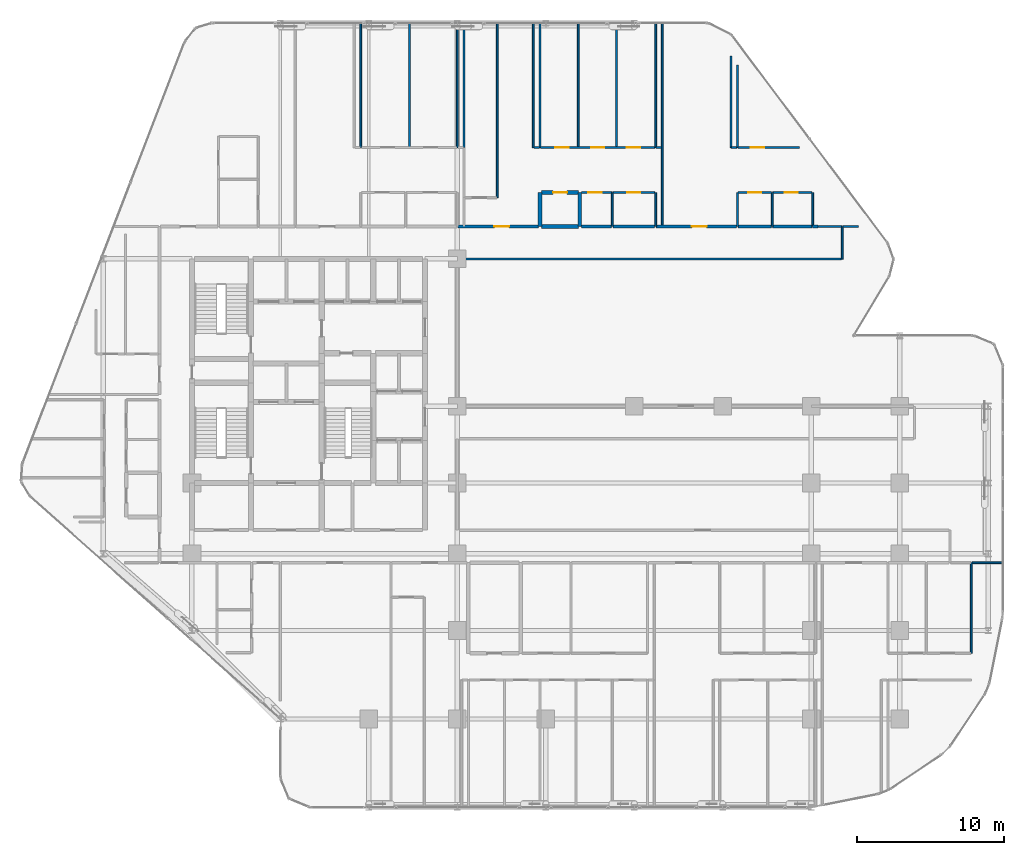
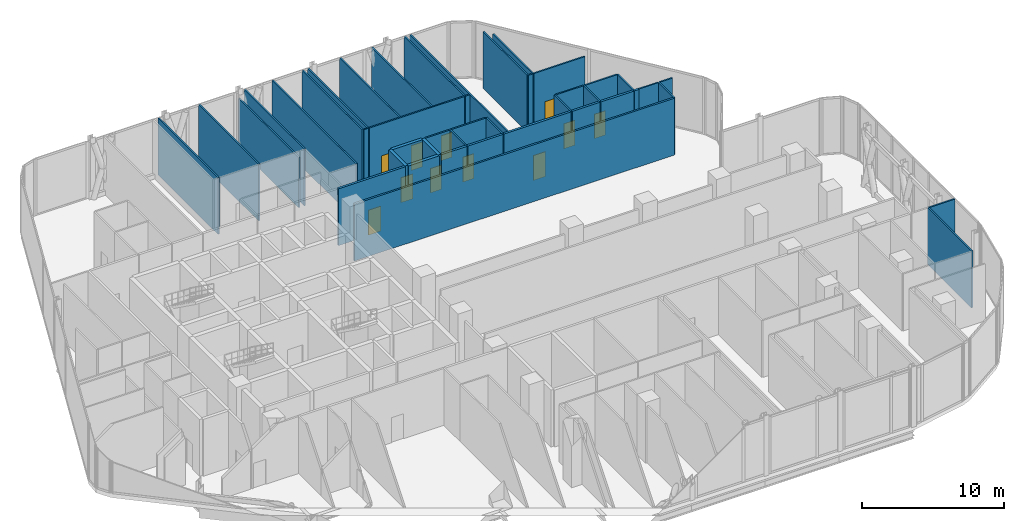
# One storey, part 34 of 36: 44 walls, 11 doors, 11 openings.
"""IFC4 building model written with IfcOpenShell, lengths in metres."""

from ifc_helpers import new_model, si_unit, direction, frame, frame_2d, origin, place, context, subcontext, project, spatial, rectangle, extrude, material, layer, layer_set, type_object, element, fill, save


model = new_model("IFC4")

# Units and contexts
model_context = context("Model", 3, precision=1e-05, world=origin(), true_north=direction((0.0, 1.0)))
body_context = subcontext(model_context, "Body", "Model", "MODEL_VIEW")
ifc_project = project(units=[si_unit("LENGTHUNIT", "METRE"), si_unit("AREAUNIT", "SQUARE_METRE"), si_unit("VOLUMEUNIT", "CUBIC_METRE"), si_unit("PLANEANGLEUNIT", "RADIAN"), si_unit("MASSUNIT", "GRAM", prefix="KILO")], contexts=[model_context])

# Site, building, storey
site_placement = place(None, origin())
site = spatial("IfcSite", under=ifc_project, at=site_placement, CompositionType="ELEMENT")
building_placement = place(site_placement, origin())
building = spatial("IfcBuilding", under=site, at=building_placement, Name="Keshet Zoharim Tower", CompositionType="ELEMENT")
storey_placement = place(building_placement, frame((0.0, 0.0, 81.199951171875)))
storey = spatial("IfcBuildingStorey", under=building, at=storey_placement, Name="L19", CompositionType="ELEMENT", Elevation=81.199951171875)

# Wall
ifc_material_1 = material(Name="Gypsum Plasterboard", Category="gypsum")
ifc_layer_1 = layer(ifc_material_1, 0.14990234375)
ifc_layer_set_1 = layer_set([ifc_layer_1], Name="Gypsum Plasterboard")
wall_type_1 = type_object("IfcWallType", Name="WL-CLIN-150", PredefinedType="STANDARD", material=ifc_layer_set_1)
wall_1_placement = place(storey_placement, frame((33.070068359375, 37.89990234375, 0.0), z_axis=(0.0, 0.0, 1.0), x_axis=(1.0, 0.0, 0.0)))
element("IfcWall", 1, at=wall_1_placement, inside=storey, type_object=wall_type_1, Name="L19 Interior Wall 188", PredefinedType="STANDARD", context=body_context, shape_type="SweptSolid", body=[
    extrude(rectangle(XDim=25.98486328125, YDim=0.14990234375, at=frame_2d((12.992431640625, 0.0))), origin(), (0.0, 0.0, 1.0), 4.885009765625),
])

# Wall, opening, door
ifc_layer_2 = layer(ifc_material_1, 0.179931640625)
ifc_layer_set_2 = layer_set([ifc_layer_2], Name="Gypsum Plasterboard")
wall_type_2 = type_object("IfcWallType", Name="WL-CORR-180", PredefinedType="STANDARD", material=ifc_layer_set_2)
wall_2_placement = place(storey_placement, frame((33.054931640625, 40.10009765625, 0.0), z_axis=(0.0, 0.0, 1.0), x_axis=(1.0, 0.0, 0.0)))
wall_2 = element("IfcWall", 2, at=wall_2_placement, inside=storey, type_object=wall_type_2, Name="L19 Interior Wall 196", PredefinedType="STANDARD", context=body_context, shape_type="SweptSolid", body=[
    extrude(rectangle(XDim=5.445068359375, YDim=0.179931640625, at=frame_2d((2.72265625, 0.0))), origin(), (0.0, 0.0, 1.0), 4.885009765625),
])
opening_1_placement = place(wall_2_placement, frame((2.455078125, 0.0, 0.0)))
opening_1 = element("IfcOpeningElement", 3, at=opening_1_placement, cuts=wall_2, Name="Opening D-F310", PredefinedType="OPENING", context=body_context, shape_type="SweptSolid", body=[
    extrude(rectangle(XDim=1.0, YDim=2.14990234375, at=frame_2d((0.5, 1.074951171875))), frame((0.0, 0.10009765625, 0.0), z_axis=(0.0, -1.0, 0.0), x_axis=(1.0, 0.0, 0.0)), (0.0, 0.0, 1.0), 0.199951171875),
])
ifc_material_2 = material(Name="Hardwood Timber", Category="wood")
door_type_1 = type_object("IfcDoorType", Name="DR-FD30-100", OperationType="NOTDEFINED", PredefinedType="DOOR", material=ifc_material_2)
door_1_placement = place(opening_1_placement, origin())
door_1 = element("IfcDoor", 4, at=door_1_placement, inside=storey, type_object=door_type_1, Name="Apartment 1907 Entrance Door", OperationType="SINGLE_SWING_LEFT", OverallHeight=2.14990234375, OverallWidth=1.0, PredefinedType="DOOR", context=body_context, shape_type="SweptSolid", body=[
    extrude(rectangle(XDim=1.0, YDim=2.14990234375, at=frame_2d((0.5, 1.074951171875))), frame((0.0, 0.02490234375, 0.0), z_axis=(0.0, -1.0, 0.0), x_axis=(1.0, 0.0, 0.0)), (0.0, 0.0, 1.0), 0.050048828125),
])
fill(opening_1, door_1)

# Walls
wall_3_placement = place(storey_placement, frame((41.426025390625, 40.10009765625, 0.0), z_axis=(0.0, 0.0, 1.0), x_axis=(1.0, 0.0, 0.0)))
element("IfcWall", 5, at=wall_3_placement, inside=storey, type_object=wall_type_2, Name="L19 Interior Wall 198", PredefinedType="STANDARD", context=body_context, shape_type="SweptSolid", body=[
    extrude(rectangle(XDim=2.034912109375, YDim=0.179931640625, at=frame_2d((1.017578125, 0.0))), origin(), (0.0, 0.0, 1.0), 4.885009765625),
])
wall_4_placement = place(storey_placement, frame((43.551025390625, 40.10009765625, 0.0), z_axis=(0.0, 0.0, 1.0), x_axis=(1.0, 0.0, 0.0)))
element("IfcWall", 6, at=wall_4_placement, inside=storey, type_object=wall_type_2, Name="L19 Interior Wall 199", PredefinedType="STANDARD", context=body_context, shape_type="SweptSolid", body=[
    extrude(rectangle(XDim=2.833984375, YDim=0.179931640625, at=frame_2d((1.4169921875, 0.0))), origin(), (0.0, 0.0, 1.0), 4.885009765625),
])

# Wall, opening, door
wall_5_placement = place(storey_placement, frame((46.47509765625, 40.10009765625, 0.0), z_axis=(0.0, 0.0, 1.0), x_axis=(1.0, 0.0, 0.0)))
wall_5 = element("IfcWall", 7, at=wall_5_placement, inside=storey, type_object=wall_type_2, Name="L19 Interior Wall 200", PredefinedType="STANDARD", context=body_context, shape_type="SweptSolid", body=[
    extrude(rectangle(XDim=5.469970703125, YDim=0.179931640625, at=frame_2d((2.73486328125, 0.0))), origin(), (0.0, 0.0, 1.0), 4.885009765625),
])
opening_2_placement = place(wall_5_placement, frame((2.43505859375, 0.0, 0.0)))
opening_2 = element("IfcOpeningElement", 8, at=opening_2_placement, cuts=wall_5, Name="Opening D-F310", PredefinedType="OPENING", context=body_context, shape_type="SweptSolid", body=[
    extrude(rectangle(XDim=1.0, YDim=2.14990234375, at=frame_2d((0.5, 1.074951171875))), frame((0.0, 0.10009765625, 0.0), z_axis=(0.0, -1.0, 0.0), x_axis=(1.0, 0.0, 0.0)), (0.0, 0.0, 1.0), 0.199951171875),
])
door_2_placement = place(opening_2_placement, origin())
door_2 = element("IfcDoor", 9, at=door_2_placement, inside=storey, type_object=door_type_1, Name="Apartment 1908 Entrance Door", OperationType="SINGLE_SWING_RIGHT", OverallHeight=2.14990234375, OverallWidth=1.0, PredefinedType="DOOR", context=body_context, shape_type="SweptSolid", body=[
    extrude(rectangle(XDim=1.0, YDim=2.14990234375, at=frame_2d((0.5, 1.074951171875))), frame((0.0, 0.02490234375, 0.0), z_axis=(0.0, -1.0, 0.0), x_axis=(1.0, 0.0, 0.0)), (0.0, 0.0, 1.0), 0.050048828125),
])
fill(opening_2, door_2)

# Walls
wall_6_placement = place(storey_placement, frame((52.034912109375, 40.10009765625, 0.0), z_axis=(0.0, 0.0, 1.0), x_axis=(1.0, 0.0, 0.0)))
element("IfcWall", 10, at=wall_6_placement, inside=storey, type_object=wall_type_2, Name="L19 Interior Wall 201", PredefinedType="STANDARD", context=body_context, shape_type="SweptSolid", body=[
    extrude(rectangle(XDim=2.255126953125, YDim=0.179931640625, at=frame_2d((1.12744140625, 0.0))), origin(), (0.0, 0.0, 1.0), 4.885009765625),
])
wall_7_placement = place(storey_placement, frame((54.3798828125, 40.10009765625, 0.0), z_axis=(0.0, 0.0, 1.0), x_axis=(1.0, 0.0, 0.0)))
element("IfcWall", 11, at=wall_7_placement, inside=storey, type_object=wall_type_2, Name="L19 Interior Wall 202", PredefinedType="STANDARD", context=body_context, shape_type="SweptSolid", body=[
    extrude(rectangle(XDim=2.662109375, YDim=0.179931640625, at=frame_2d((1.3310546875, 0.0))), origin(), (0.0, 0.0, 1.0), 4.885009765625),
])
wall_8_placement = place(storey_placement, frame((57.10009765625, 40.10009765625, 0.0), z_axis=(0.0, 0.0, 1.0), x_axis=(1.0, 0.0, 0.0)))
element("IfcWall", 12, at=wall_8_placement, inside=storey, type_object=wall_type_2, Name="L19 Interior Wall 203", PredefinedType="STANDARD", context=body_context, shape_type="SweptSolid", body=[
    extrude(rectangle(XDim=0.349853515625, YDim=0.179931640625, at=frame_2d((0.1748046875, 0.0))), origin(), (0.0, 0.0, 1.0), 4.885009765625),
])
ifc_material_3 = material(Name="Concrete C50/60", Category="concrete")
ifc_layer_3 = layer(ifc_material_3, 0.25)
ifc_layer_set_3 = layer_set([ifc_layer_3], Name="Concrete C50/60")
wall_type_3 = type_object("IfcWallType", Name="WL-MAMAD-250", PredefinedType="STANDARD", material=ifc_layer_set_3)
for number, where, z_axis, x_axis, name in (
    (13, (38.60009765625, 40.10009765625, 0.0), (0.0, 0.0, 1.0), (0.0, 1.0, 0.0), "L19 Interior Wall 080"),
    (14, (41.300048828125, 40.10009765625, 0.0), (0.0, 0.0, 1.0), (0.0, 1.0, 0.0), "L19 Interior Wall 085"),
):
    element("IfcWall", number, at=place(storey_placement, frame(where, z_axis=z_axis, x_axis=x_axis)), inside=storey, type_object=wall_type_3, Name=name, PredefinedType="STANDARD", context=body_context, shape_type="SweptSolid", body=[
        extrude(rectangle(XDim=2.2998046875, YDim=0.25, at=frame_2d((1.14990234375, 0.0))), origin(), (0.0, 0.0, 1.0), 4.885009765625),
    ])
wall_9_placement = place(storey_placement, frame((38.719970703125, 40.10009765625, 0.0), z_axis=(0.0, 0.0, 1.0), x_axis=(1.0, 0.0, 0.0)))
element("IfcWall", 15, at=wall_9_placement, inside=storey, type_object=wall_type_3, Name="L19 Interior Wall 197", PredefinedType="STANDARD", context=body_context, shape_type="SweptSolid", body=[
    extrude(rectangle(XDim=2.486083984375, YDim=0.25, at=frame_2d((1.2431640625, 0.0))), origin(), (0.0, 0.0, 1.0), 4.885009765625),
])

# Wall, opening, door
wall_10_placement = place(storey_placement, frame((38.719970703125, 42.39990234375, 0.0), z_axis=(0.0, 0.0, 1.0), x_axis=(1.0, 0.0, 0.0)))
wall_10 = element("IfcWall", 16, at=wall_10_placement, inside=storey, type_object=wall_type_3, Name="L19 Interior Wall 209", PredefinedType="STANDARD", context=body_context, shape_type="SweptSolid", body=[
    extrude(rectangle(XDim=2.486083984375, YDim=0.25, at=frame_2d((1.2431640625, 0.0))), origin(), (0.0, 0.0, 1.0), 4.885009765625),
])
opening_3_placement = place(wall_10_placement, frame((0.76806640625, 0.0, 0.0)))
opening_3 = element("IfcOpeningElement", 17, at=opening_3_placement, cuts=wall_10, Name="Opening D-F695", PredefinedType="OPENING", context=body_context, shape_type="SweptSolid", body=[
    extrude(rectangle(XDim=0.949951171875, YDim=2.14990234375, at=frame_2d((0.47509765625, 1.074951171875))), frame((0.0, 0.135009765625, 0.0), z_axis=(0.0, -1.0, 0.0), x_axis=(1.0, 0.0, 0.0)), (0.0, 0.0, 1.0), 0.27001953125),
])
door_type_2 = type_object("IfcDoorType", Name="DR-FD60-095", OperationType="NOTDEFINED", PredefinedType="DOOR", material=ifc_material_2)
door_3_placement = place(opening_3_placement, origin())
door_3 = element("IfcDoor", 18, at=door_3_placement, inside=storey, type_object=door_type_2, Name="Apartment 1907 Study and Shelter Room Door", OperationType="SINGLE_SWING_RIGHT", OverallHeight=2.14990234375, OverallWidth=0.949951171875, PredefinedType="DOOR", context=body_context, shape_type="SweptSolid", body=[
    extrude(rectangle(XDim=0.949951171875, YDim=2.14990234375, at=frame_2d((0.47509765625, 1.074951171875))), frame((0.0, 0.02490234375, 0.0), z_axis=(0.0, -1.0, 0.0), x_axis=(1.0, 0.0, 0.0)), (0.0, 0.0, 1.0), 0.050048828125),
])
fill(opening_3, door_3)

# Walls
ifc_layer_4 = layer(ifc_material_1, 0.1201171875)
ifc_layer_set_4 = layer_set([ifc_layer_4], Name="Gypsum Plasterboard")
wall_type_4 = type_object("IfcWallType", Name="WL-PART-120", PredefinedType="PARTITIONING", material=ifc_layer_set_4)
for number, where, z_axis, x_axis, name in (
    (19, (26.449951171875, 45.449951171875, 0.0), (0.0, 0.0, 1.0), (0.0, 1.0, 0.0), "L19 Interior Wall 045"),
    (20, (29.75, 45.449951171875, 0.0), (0.0, 0.0, 1.0), (0.0, 1.0, 0.0), "L19 Interior Wall 057"),
):
    element("IfcWall", number, at=place(storey_placement, frame(where, z_axis=z_axis, x_axis=x_axis)), inside=storey, type_object=wall_type_4, Name=name, PredefinedType="PARTITIONING", context=body_context, shape_type="SweptSolid", body=[
        extrude(rectangle(XDim=8.43994140625, YDim=0.1201171875, at=frame_2d((4.219970703125, 0.0))), origin(), (0.0, 0.0, 1.0), 4.885009765625),
    ])
wall_11_placement = place(storey_placement, frame((33.0, 45.449951171875, 0.0), z_axis=(0.0, 0.0, 1.0), x_axis=(0.0, 1.0, 0.0)))
element("IfcWall", 21, at=wall_11_placement, inside=storey, type_object=wall_type_4, Name="L19 Interior Wall 068", PredefinedType="PARTITIONING", context=body_context, shape_type="SweptSolid", body=[
    extrude(rectangle(XDim=8.43994140625, YDim=0.1201171875, at=frame_2d((4.219970703125, 0.0))), origin(), (0.0, 0.0, 1.0), 4.28515625),
])
wall_12_placement = place(storey_placement, frame((33.449951171875, 45.449951171875, 0.0), z_axis=(0.0, 0.0, 1.0), x_axis=(0.0, 1.0, 0.0)))
element("IfcWall", 22, at=wall_12_placement, inside=storey, type_object=wall_type_4, Name="L19 Interior Wall 072", PredefinedType="PARTITIONING", context=body_context, shape_type="SweptSolid", body=[
    extrude(rectangle(XDim=8.43994140625, YDim=0.1201171875, at=frame_2d((4.219970703125, 0.0))), origin(), (0.0, 0.0, 1.0), 4.885009765625),
])
wall_13_placement = place(storey_placement, frame((35.699951171875, 42.050048828125, 0.0), z_axis=(0.0, 0.0, 1.0), x_axis=(0.0, 1.0, 0.0)))
element("IfcWall", 23, at=wall_13_placement, inside=storey, type_object=wall_type_4, Name="L19 Interior Wall 075", PredefinedType="PARTITIONING", context=body_context, shape_type="SweptSolid", body=[
    extrude(rectangle(XDim=11.83984375, YDim=0.1201171875, at=frame_2d((5.919921875, 0.0))), origin(), (0.0, 0.0, 1.0), 4.885009765625),
])
for number, where, z_axis, x_axis, name in (
    (24, (38.14990234375, 45.449951171875, 0.0), (0.0, 0.0, 1.0), (0.0, 1.0, 0.0), "L19 Interior Wall 078"),
    (25, (38.60009765625, 45.449951171875, 0.0), (0.0, 0.0, 1.0), (0.0, 1.0, 0.0), "L19 Interior Wall 081"),
    (26, (41.199951171875, 45.449951171875, 0.0), (0.0, 0.0, 1.0), (0.0, 1.0, 0.0), "L19 Interior Wall 084"),
    (27, (43.800048828125, 45.449951171875, 0.0), (0.0, 0.0, 1.0), (0.0, 1.0, 0.0), "L19 Interior Wall 088"),
):
    element("IfcWall", number, at=place(storey_placement, frame(where, z_axis=z_axis, x_axis=x_axis)), inside=storey, type_object=wall_type_4, Name=name, PredefinedType="PARTITIONING", context=body_context, shape_type="SweptSolid", body=[
        extrude(rectangle(XDim=8.43994140625, YDim=0.1201171875, at=frame_2d((4.219970703125, 0.0))), origin(), (0.0, 0.0, 1.0), 4.885009765625),
    ])
wall_14_placement = place(storey_placement, frame((46.449951171875, 40.10009765625, 0.0), z_axis=(0.0, 0.0, 1.0), x_axis=(0.0, 1.0, 0.0)))
element("IfcWall", 28, at=wall_14_placement, inside=storey, type_object=wall_type_4, Name="L19 Interior Wall 092", PredefinedType="PARTITIONING", context=body_context, shape_type="SweptSolid", body=[
    extrude(rectangle(XDim=2.2998046875, YDim=0.1201171875, at=frame_2d((1.14990234375, 0.0))), origin(), (0.0, 0.0, 1.0), 4.885009765625),
])
wall_15_placement = place(storey_placement, frame((46.449951171875, 45.449951171875, 0.0), z_axis=(0.0, 0.0, 1.0), x_axis=(0.0, 1.0, 0.0)))
element("IfcWall", 29, at=wall_15_placement, inside=storey, type_object=wall_type_4, Name="L19 Interior Wall 093", PredefinedType="PARTITIONING", context=body_context, shape_type="SweptSolid", body=[
    extrude(rectangle(XDim=8.43994140625, YDim=0.1201171875, at=frame_2d((4.219970703125, 0.0))), origin(), (0.0, 0.0, 1.0), 4.885009765625),
])
wall_16_placement = place(storey_placement, frame((46.89990234375, 40.10009765625, 0.0), z_axis=(0.0, 0.0, 1.0), x_axis=(0.0, 1.0, 0.0)))
element("IfcWall", 30, at=wall_16_placement, inside=storey, type_object=wall_type_4, Name="L19 Interior Wall 094", PredefinedType="PARTITIONING", context=body_context, shape_type="SweptSolid", body=[
    extrude(rectangle(XDim=13.789794921875, YDim=0.1201171875, at=frame_2d((6.89501953125, 0.0))), origin(), (0.0, 0.0, 1.0), 4.885009765625),
])
wall_17_placement = place(storey_placement, frame((51.550048828125, 45.449951171875, 0.0), z_axis=(0.0, 0.0, 1.0), x_axis=(0.0, 1.0, 0.0)))
element("IfcWall", 31, at=wall_17_placement, inside=storey, type_object=wall_type_4, Name="L19 Interior Wall 098", PredefinedType="PARTITIONING", context=body_context, shape_type="SweptSolid", body=[
    extrude(rectangle(XDim=6.196044921875, YDim=0.1201171875, at=frame_2d((3.09814453125, 0.0))), origin(), (0.0, 0.0, 1.0), 4.885009765625),
])
wall_18_placement = place(storey_placement, frame((52.0, 40.10009765625, 0.0), z_axis=(0.0, 0.0, 1.0), x_axis=(0.0, 1.0, 0.0)))
element("IfcWall", 32, at=wall_18_placement, inside=storey, type_object=wall_type_4, Name="L19 Interior Wall 099", PredefinedType="PARTITIONING", context=body_context, shape_type="SweptSolid", body=[
    extrude(rectangle(XDim=2.2998046875, YDim=0.1201171875, at=frame_2d((1.14990234375, 0.0))), origin(), (0.0, 0.0, 1.0), 4.885009765625),
])
wall_19_placement = place(storey_placement, frame((52.0, 45.449951171875, 0.0), z_axis=(0.0, 0.0, 1.0), x_axis=(0.0, 1.0, 0.0)))
element("IfcWall", 33, at=wall_19_placement, inside=storey, type_object=wall_type_4, Name="L19 Interior Wall 100", PredefinedType="PARTITIONING", context=body_context, shape_type="SweptSolid", body=[
    extrude(rectangle(XDim=5.595947265625, YDim=0.1201171875, at=frame_2d((2.7978515625, 0.0))), origin(), (0.0, 0.0, 1.0), 4.885009765625),
])
wall_20_placement = place(storey_placement, frame((59.10009765625, 37.889892578125, 0.0), z_axis=(0.0, 0.0, 1.0), x_axis=(0.0, 1.0, 0.0)))
element("IfcWall", 34, at=wall_20_placement, inside=storey, type_object=wall_type_4, Name="L19 Interior Wall 108", PredefinedType="PARTITIONING", context=body_context, shape_type="SweptSolid", body=[
    extrude(rectangle(XDim=2.2001953125, YDim=0.1201171875, at=frame_2d((1.10009765625, 0.0))), origin(), (0.0, 0.0, 1.0), 4.885009765625),
])
wall_21_placement = place(storey_placement, frame((67.90087890625, 17.300048828125, 0.0), z_axis=(0.0, 0.0, 1.0), x_axis=(1.0, 0.0, 0.0)))
element("IfcWall", 35, at=wall_21_placement, inside=storey, type_object=wall_type_4, Name="L19 Interior Wall 150", PredefinedType="PARTITIONING", context=body_context, shape_type="SweptSolid", body=[
    extrude(rectangle(XDim=2.089111328125, YDim=0.1201171875, at=frame_2d((1.04443359375, 0.0))), origin(), (0.0, 0.0, 1.0), 4.885009765625),
])
wall_22_placement = place(storey_placement, frame((57.449951171875, 40.10009765625, 0.0), z_axis=(0.0, 0.0, 1.0), x_axis=(1.0, 0.0, 0.0)))
element("IfcWall", 36, at=wall_22_placement, inside=storey, type_object=wall_type_4, Name="L19 Interior Wall 204", PredefinedType="PARTITIONING", context=body_context, shape_type="SweptSolid", body=[
    extrude(rectangle(XDim=1.60498046875, YDim=0.1201171875, at=frame_2d((0.802490234375, 0.0))), origin(), (0.0, 0.0, 1.0), 4.885009765625),
])
wall_23_placement = place(storey_placement, frame((59.14501953125, 40.10009765625, 0.0), z_axis=(0.0, 0.0, 1.0), x_axis=(1.0, 0.0, 0.0)))
element("IfcWall", 37, at=wall_23_placement, inside=storey, type_object=wall_type_4, Name="L19 Interior Wall 205", PredefinedType="PARTITIONING", context=body_context, shape_type="SweptSolid", body=[
    extrude(rectangle(XDim=1.054931640625, YDim=0.1201171875, at=frame_2d((0.52734375, 0.0))), origin(), (0.0, 0.0, 1.0), 4.885009765625),
])

# Wall, opening, door
wall_24_placement = place(storey_placement, frame((43.551025390625, 42.39990234375, 0.0), z_axis=(0.0, 0.0, 1.0), x_axis=(1.0, 0.0, 0.0)))
wall_24 = element("IfcWall", 38, at=wall_24_placement, inside=storey, type_object=wall_type_4, Name="L19 Interior Wall 211", PredefinedType="PARTITIONING", context=body_context, shape_type="SweptSolid", body=[
    extrude(rectangle(XDim=2.833984375, YDim=0.1201171875, at=frame_2d((1.4169921875, 0.0))), origin(), (0.0, 0.0, 1.0), 4.885009765625),
])
opening_4_placement = place(wall_24_placement, frame((0.967041015625, 0.0, 0.0)))
opening_4 = element("IfcOpeningElement", 39, at=opening_4_placement, cuts=wall_24, Name="Opening D-IN90", PredefinedType="OPENING", context=body_context, shape_type="SweptSolid", body=[
    extrude(rectangle(XDim=0.89990234375, YDim=2.14990234375, at=frame_2d((0.449951171875, 1.074951171875))), frame((0.0, 0.070068359375, 0.0), z_axis=(0.0, -1.0, 0.0), x_axis=(1.0, 0.0, 0.0)), (0.0, 0.0, 1.0), 0.14013671875),
])
door_type_3 = type_object("IfcDoorType", Name="DR-INT-090", OperationType="NOTDEFINED", PredefinedType="DOOR", material=ifc_material_2)
door_4_placement = place(opening_4_placement, origin())
door_4 = element("IfcDoor", 40, at=door_4_placement, inside=storey, type_object=door_type_3, Name="Apartment 1907 Kitchen Door", OperationType="SINGLE_SWING_RIGHT", OverallHeight=2.14990234375, OverallWidth=0.89990234375, PredefinedType="DOOR", context=body_context, shape_type="SweptSolid", body=[
    extrude(rectangle(XDim=0.89990234375, YDim=2.14990234375, at=frame_2d((0.449951171875, 1.074951171875))), frame((0.0, 0.02490234375, 0.0), z_axis=(0.0, -1.0, 0.0), x_axis=(1.0, 0.0, 0.0)), (0.0, 0.0, 1.0), 0.050048828125),
])
fill(opening_4, door_4)

wall_25_placement = place(storey_placement, frame((52.034912109375, 42.39990234375, 0.0), z_axis=(0.0, 0.0, 1.0), x_axis=(1.0, 0.0, 0.0)))
wall_25 = element("IfcWall", 41, at=wall_25_placement, inside=storey, type_object=wall_type_4, Name="L19 Interior Wall 212", PredefinedType="PARTITIONING", context=body_context, shape_type="SweptSolid", body=[
    extrude(rectangle(XDim=2.255126953125, YDim=0.1201171875, at=frame_2d((1.12744140625, 0.0))), origin(), (0.0, 0.0, 1.0), 4.885009765625),
])
opening_5_placement = place(wall_25_placement, frame((0.677978515625, 0.0, 0.0)))
opening_5 = element("IfcOpeningElement", 42, at=opening_5_placement, cuts=wall_25, Name="Opening D-IN90", PredefinedType="OPENING", context=body_context, shape_type="SweptSolid", body=[
    extrude(rectangle(XDim=0.89990234375, YDim=2.14990234375, at=frame_2d((0.449951171875, 1.074951171875))), frame((0.0, 0.070068359375, 0.0), z_axis=(0.0, -1.0, 0.0), x_axis=(1.0, 0.0, 0.0)), (0.0, 0.0, 1.0), 0.14013671875),
])
door_5_placement = place(opening_5_placement, origin())
door_5 = element("IfcDoor", 43, at=door_5_placement, inside=storey, type_object=door_type_3, Name="Apartment 1908 Kitchen Door", OperationType="SINGLE_SWING_LEFT", OverallHeight=2.14990234375, OverallWidth=0.89990234375, PredefinedType="DOOR", context=body_context, shape_type="SweptSolid", body=[
    extrude(rectangle(XDim=0.89990234375, YDim=2.14990234375, at=frame_2d((0.449951171875, 1.074951171875))), frame((0.0, 0.02490234375, 0.0), z_axis=(0.0, -1.0, 0.0), x_axis=(1.0, 0.0, 0.0)), (0.0, 0.0, 1.0), 0.050048828125),
])
fill(opening_5, door_5)

# Wall
wall_26_placement = place(storey_placement, frame((38.205078125, 45.449951171875, 0.0), z_axis=(0.0, 0.0, 1.0), x_axis=(1.0, 0.0, 0.0)))
element("IfcWall", 44, at=wall_26_placement, inside=storey, type_object=wall_type_4, Name="L19 Interior Wall 218", PredefinedType="PARTITIONING", context=body_context, shape_type="SweptSolid", body=[
    extrude(rectangle(XDim=0.35986328125, YDim=0.1201171875, at=frame_2d((0.179931640625, 0.0))), origin(), (0.0, 0.0, 1.0), 4.885009765625),
])

# Wall, openings, doors
wall_27_placement = place(storey_placement, frame((38.655029296875, 45.449951171875, 0.0), z_axis=(0.0, 0.0, 1.0), x_axis=(1.0, 0.0, 0.0)))
wall_27 = element("IfcWall", 45, at=wall_27_placement, inside=storey, type_object=wall_type_4, Name="L19 Interior Wall 219", PredefinedType="PARTITIONING", context=body_context, shape_type="SweptSolid", body=[
    extrude(rectangle(XDim=7.72998046875, YDim=0.1201171875, at=frame_2d((3.864990234375, 0.0))), origin(), (0.0, 0.0, 1.0), 4.885009765625),
])
opening_6_placement = place(wall_27_placement, frame((0.98388671875, 0.0, 0.0)))
opening_6 = element("IfcOpeningElement", 46, at=opening_6_placement, cuts=wall_27, Name="Opening D-IN90", PredefinedType="OPENING", context=body_context, shape_type="SweptSolid", body=[
    extrude(rectangle(XDim=0.89990234375, YDim=2.14990234375, at=frame_2d((0.449951171875, 1.074951171875))), frame((0.0, 0.070068359375, 0.0), z_axis=(0.0, -1.0, 0.0), x_axis=(1.0, 0.0, 0.0)), (0.0, 0.0, 1.0), 0.14013671875),
])
opening_7_placement = place(wall_27_placement, frame((3.4150390625, 0.0, 0.0)))
opening_7 = element("IfcOpeningElement", 47, at=opening_7_placement, cuts=wall_27, Name="Opening D-IN90", PredefinedType="OPENING", context=body_context, shape_type="SweptSolid", body=[
    extrude(rectangle(XDim=0.89990234375, YDim=2.14990234375, at=frame_2d((0.449951171875, 1.074951171875))), frame((0.0, 0.070068359375, 0.0), z_axis=(0.0, -1.0, 0.0), x_axis=(1.0, 0.0, 0.0)), (0.0, 0.0, 1.0), 0.14013671875),
])
opening_8_placement = place(wall_27_placement, frame((5.846923828125, 0.0, 0.0)))
opening_8 = element("IfcOpeningElement", 48, at=opening_8_placement, cuts=wall_27, Name="Opening D-IN90", PredefinedType="OPENING", context=body_context, shape_type="SweptSolid", body=[
    extrude(rectangle(XDim=0.89990234375, YDim=2.14990234375, at=frame_2d((0.449951171875, 1.074951171875))), frame((0.0, 0.070068359375, 0.0), z_axis=(0.0, -1.0, 0.0), x_axis=(1.0, 0.0, 0.0)), (0.0, 0.0, 1.0), 0.14013671875),
])
door_6_placement = place(opening_6_placement, origin())
door_6 = element("IfcDoor", 49, at=door_6_placement, inside=storey, type_object=door_type_3, Name="Apartment 1907 Bedroom 1 Door", OperationType="SINGLE_SWING_LEFT", OverallHeight=2.14990234375, OverallWidth=0.89990234375, PredefinedType="DOOR", context=body_context, shape_type="SweptSolid", body=[
    extrude(rectangle(XDim=0.89990234375, YDim=2.14990234375, at=frame_2d((0.449951171875, 1.074951171875))), frame((0.0, 0.02490234375, 0.0), z_axis=(0.0, -1.0, 0.0), x_axis=(1.0, 0.0, 0.0)), (0.0, 0.0, 1.0), 0.050048828125),
])
fill(opening_6, door_6)
door_7_placement = place(opening_7_placement, origin())
door_7 = element("IfcDoor", 50, at=door_7_placement, inside=storey, type_object=door_type_3, Name="Apartment 1907 Bedroom 2 Door", OperationType="SINGLE_SWING_RIGHT", OverallHeight=2.14990234375, OverallWidth=0.89990234375, PredefinedType="DOOR", context=body_context, shape_type="SweptSolid", body=[
    extrude(rectangle(XDim=0.89990234375, YDim=2.14990234375, at=frame_2d((0.449951171875, 1.074951171875))), frame((0.0, 0.02490234375, 0.0), z_axis=(0.0, -1.0, 0.0), x_axis=(1.0, 0.0, 0.0)), (0.0, 0.0, 1.0), 0.050048828125),
])
fill(opening_7, door_7)
door_8_placement = place(opening_8_placement, origin())
door_8 = element("IfcDoor", 51, at=door_8_placement, inside=storey, type_object=door_type_3, Name="Apartment 1907 Bedroom 3 Door", OperationType="SINGLE_SWING_LEFT", OverallHeight=2.14990234375, OverallWidth=0.89990234375, PredefinedType="DOOR", context=body_context, shape_type="SweptSolid", body=[
    extrude(rectangle(XDim=0.89990234375, YDim=2.14990234375, at=frame_2d((0.449951171875, 1.074951171875))), frame((0.0, 0.02490234375, 0.0), z_axis=(0.0, -1.0, 0.0), x_axis=(1.0, 0.0, 0.0)), (0.0, 0.0, 1.0), 0.050048828125),
])
fill(opening_8, door_8)

# Walls
wall_28_placement = place(storey_placement, frame((46.47509765625, 45.449951171875, 0.0), z_axis=(0.0, 0.0, 1.0), x_axis=(1.0, 0.0, 0.0)))
element("IfcWall", 52, at=wall_28_placement, inside=storey, type_object=wall_type_4, Name="L19 Interior Wall 220", PredefinedType="PARTITIONING", context=body_context, shape_type="SweptSolid", body=[
    extrude(rectangle(XDim=0.35986328125, YDim=0.1201171875, at=frame_2d((0.179931640625, 0.0))), origin(), (0.0, 0.0, 1.0), 4.885009765625),
])
wall_29_placement = place(storey_placement, frame((51.5849609375, 45.449951171875, 0.0), z_axis=(0.0, 0.0, 1.0), x_axis=(1.0, 0.0, 0.0)))
element("IfcWall", 53, at=wall_29_placement, inside=storey, type_object=wall_type_4, Name="L19 Interior Wall 221", PredefinedType="PARTITIONING", context=body_context, shape_type="SweptSolid", body=[
    extrude(rectangle(XDim=0.360107421875, YDim=0.1201171875, at=frame_2d((0.18017578125, 0.0))), origin(), (0.0, 0.0, 1.0), 4.885009765625),
])

# Wall, opening, door
wall_30_placement = place(storey_placement, frame((52.034912109375, 45.449951171875, 0.0), z_axis=(0.0, 0.0, 1.0), x_axis=(1.0, 0.0, 0.0)))
wall_30 = element("IfcWall", 54, at=wall_30_placement, inside=storey, type_object=wall_type_4, Name="L19 Interior Wall 222", PredefinedType="PARTITIONING", context=body_context, shape_type="SweptSolid", body=[
    extrude(rectangle(XDim=4.152099609375, YDim=0.1201171875, at=frame_2d((2.076171875, 0.0))), origin(), (0.0, 0.0, 1.0), 4.885009765625),
])
opening_9_placement = place(wall_30_placement, frame((0.876953125, 0.0, 0.0)))
opening_9 = element("IfcOpeningElement", 55, at=opening_9_placement, cuts=wall_30, Name="Opening D-IN90", PredefinedType="OPENING", context=body_context, shape_type="SweptSolid", body=[
    extrude(rectangle(XDim=0.89990234375, YDim=2.14990234375, at=frame_2d((0.449951171875, 1.074951171875))), frame((0.0, 0.070068359375, 0.0), z_axis=(0.0, -1.0, 0.0), x_axis=(1.0, 0.0, 0.0)), (0.0, 0.0, 1.0), 0.14013671875),
])
door_9_placement = place(opening_9_placement, origin())
door_9 = element("IfcDoor", 56, at=door_9_placement, inside=storey, type_object=door_type_3, Name="Apartment 1908 Bedroom 1 Door", OperationType="SINGLE_SWING_RIGHT", OverallHeight=2.14990234375, OverallWidth=0.89990234375, PredefinedType="DOOR", context=body_context, shape_type="SweptSolid", body=[
    extrude(rectangle(XDim=0.89990234375, YDim=2.14990234375, at=frame_2d((0.449951171875, 1.074951171875))), frame((0.0, 0.02490234375, 0.0), z_axis=(0.0, -1.0, 0.0), x_axis=(1.0, 0.0, 0.0)), (0.0, 0.0, 1.0), 0.050048828125),
])
fill(opening_9, door_9)

# Walls
ifc_layer_5 = layer(ifc_material_1, 0.1201171875)
ifc_layer_set_5 = layer_set([ifc_layer_5], Name="Gypsum Plasterboard")
wall_type_5 = type_object("IfcWallType", Name="WL-WET-120", PredefinedType="PARTITIONING", material=ifc_layer_set_5)
for number, where, z_axis, x_axis, name in (
    (57, (43.5, 40.10009765625, 0.0), (0.0, 0.0, 1.0), (0.0, 1.0, 0.0), "L19 Interior Wall 087"),
    (58, (54.35009765625, 40.10009765625, 0.0), (0.0, 0.0, 1.0), (0.0, 1.0, 0.0), "L19 Interior Wall 103"),
    (59, (57.10009765625, 40.10009765625, 0.0), (0.0, 0.0, 1.0), (0.0, 1.0, 0.0), "L19 Interior Wall 104"),
):
    element("IfcWall", number, at=place(storey_placement, frame(where, z_axis=z_axis, x_axis=x_axis)), inside=storey, type_object=wall_type_5, Name=name, PredefinedType="PARTITIONING", context=body_context, shape_type="SweptSolid", body=[
        extrude(rectangle(XDim=2.2998046875, YDim=0.1201171875, at=frame_2d((1.14990234375, 0.0))), origin(), (0.0, 0.0, 1.0), 4.885009765625),
    ])
wall_31_placement = place(storey_placement, frame((67.85009765625, 11.14990234375, 0.0), z_axis=(0.0, 0.0, 1.0), x_axis=(0.0, 1.0, 0.0)))
element("IfcWall", 60, at=wall_31_placement, inside=storey, type_object=wall_type_5, Name="L19 Interior Wall 115", PredefinedType="PARTITIONING", context=body_context, shape_type="SweptSolid", body=[
    extrude(rectangle(XDim=6.150146484375, YDim=0.1201171875, at=frame_2d((3.0751953125, 0.0))), origin(), (0.0, 0.0, 1.0), 4.885009765625),
])

# Wall, opening, door
wall_32_placement = place(storey_placement, frame((41.426025390625, 42.39990234375, 0.0), z_axis=(0.0, 0.0, 1.0), x_axis=(1.0, 0.0, 0.0)))
wall_32 = element("IfcWall", 61, at=wall_32_placement, inside=storey, type_object=wall_type_5, Name="L19 Interior Wall 210", PredefinedType="PARTITIONING", context=body_context, shape_type="SweptSolid", body=[
    extrude(rectangle(XDim=2.034912109375, YDim=0.1201171875, at=frame_2d((1.017578125, 0.0))), origin(), (0.0, 0.0, 1.0), 4.885009765625),
])
opening_10_placement = place(wall_32_placement, frame((0.458984375, 0.0, 0.0)))
opening_10 = element("IfcOpeningElement", 62, at=opening_10_placement, cuts=wall_32, Name="Opening D-WT90", PredefinedType="OPENING", context=body_context, shape_type="SweptSolid", body=[
    extrude(rectangle(XDim=0.89990234375, YDim=2.10009765625, at=frame_2d((0.449951171875, 1.050048828125))), frame((0.0, 0.070068359375, 0.0), z_axis=(0.0, -1.0, 0.0), x_axis=(1.0, 0.0, 0.0)), (0.0, 0.0, 1.0), 0.14013671875),
])
door_type_4 = type_object("IfcDoorType", Name="DR-WET-090", OperationType="NOTDEFINED", PredefinedType="DOOR", material=ifc_material_2)
door_10_placement = place(opening_10_placement, origin())
door_10 = element("IfcDoor", 63, at=door_10_placement, inside=storey, type_object=door_type_4, Name="Apartment 1907 Bathroom Door", OperationType="SINGLE_SWING_LEFT", OverallHeight=2.10009765625, OverallWidth=0.89990234375, PredefinedType="DOOR", context=body_context, shape_type="SweptSolid", body=[
    extrude(rectangle(XDim=0.89990234375, YDim=2.10009765625, at=frame_2d((0.449951171875, 1.050048828125))), frame((0.0, 0.02490234375, 0.0), z_axis=(0.0, -1.0, 0.0), x_axis=(1.0, 0.0, 0.0)), (0.0, 0.0, 1.0), 0.050048828125),
])
fill(opening_10, door_10)

wall_33_placement = place(storey_placement, frame((54.3798828125, 42.39990234375, 0.0), z_axis=(0.0, 0.0, 1.0), x_axis=(1.0, 0.0, 0.0)))
wall_33 = element("IfcWall", 64, at=wall_33_placement, inside=storey, type_object=wall_type_5, Name="L19 Interior Wall 213", PredefinedType="PARTITIONING", context=body_context, shape_type="SweptSolid", body=[
    extrude(rectangle(XDim=2.662109375, YDim=0.1201171875, at=frame_2d((1.3310546875, 0.0))), origin(), (0.0, 0.0, 1.0), 4.885009765625),
])
opening_11_placement = place(wall_33_placement, frame((0.806884765625, 0.0, 0.0)))
opening_11 = element("IfcOpeningElement", 65, at=opening_11_placement, cuts=wall_33, Name="Opening D-WT90", PredefinedType="OPENING", context=body_context, shape_type="SweptSolid", body=[
    extrude(rectangle(XDim=0.89990234375, YDim=2.10009765625, at=frame_2d((0.449951171875, 1.050048828125))), frame((0.0, 0.070068359375, 0.0), z_axis=(0.0, -1.0, 0.0), x_axis=(1.0, 0.0, 0.0)), (0.0, 0.0, 1.0), 0.14013671875),
])
door_11_placement = place(opening_11_placement, origin())
door_11 = element("IfcDoor", 66, at=door_11_placement, inside=storey, type_object=door_type_4, Name="Apartment 1908 Bathroom Door", OperationType="SINGLE_SWING_RIGHT", OverallHeight=2.10009765625, OverallWidth=0.89990234375, PredefinedType="DOOR", context=body_context, shape_type="SweptSolid", body=[
    extrude(rectangle(XDim=0.89990234375, YDim=2.10009765625, at=frame_2d((0.449951171875, 1.050048828125))), frame((0.0, 0.02490234375, 0.0), z_axis=(0.0, -1.0, 0.0), x_axis=(1.0, 0.0, 0.0)), (0.0, 0.0, 1.0), 0.050048828125),
])
fill(opening_11, door_11)

save(model, "model.ifc")
